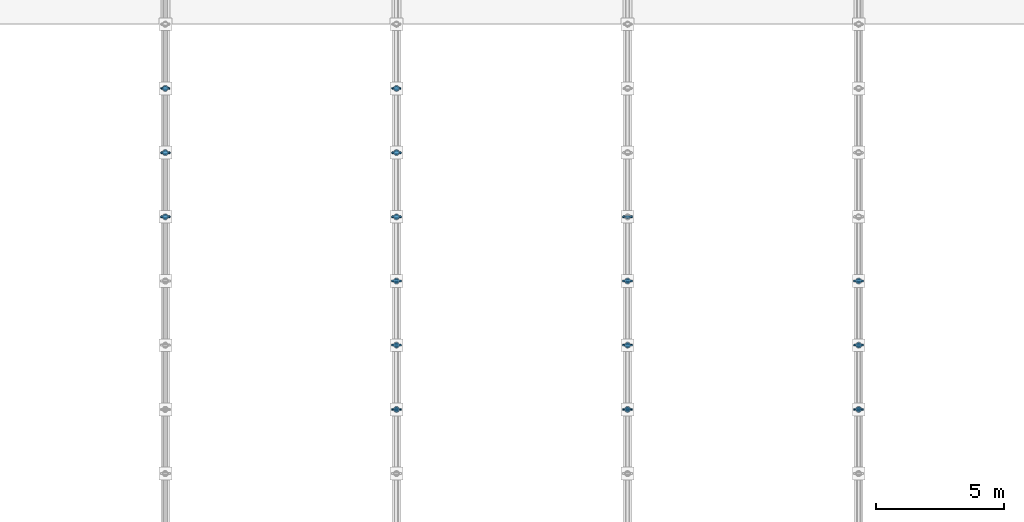
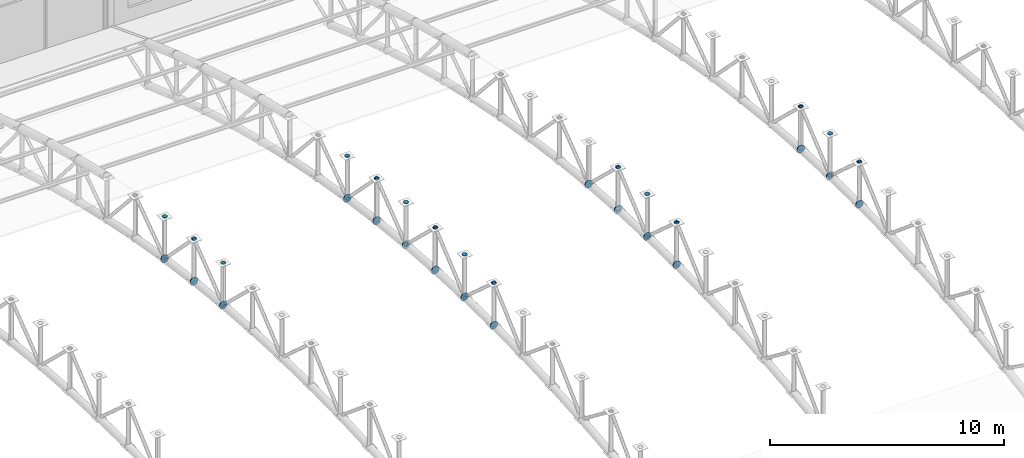
# One storey, part 133 of 195: 93 discrete accessories.
"""IFC4 building model written with IfcOpenShell, lengths in metres."""

import ifcopenshell
import ifcopenshell.guid

model = None  # the IFC model being written
_history = None  # IfcOwnerHistory: only IFC2X3 demands one
_inside = {}  # id of a spatial element -> (the spatial element, [elements in it])
_under = {}  # id of a project, library or spatial element -> (it, [spatial elements below it])
_declared = {}  # id of a project -> (the project, [libraries it declares])
_typed = {}  # id of a type object -> (the type object, [elements of that type])
_made_of = {}  # id of a material, layer set ... -> (it, [elements and type objects made of it])


def new_model(schema):
    """Start an empty IFC model of exactly this schema.

    Asked for "IFC4X3", IfcOpenShell would pick the latest addendum, in which some entities
    have other attributes; the version numbers below select the first issue.
    IFC2X3 requires an IfcOwnerHistory on every rooted entity: one is made here for all.
    """
    global model, _history
    if schema == "IFC4X3":
        model = ifcopenshell.file(schema_version=(4, 3, 0, 0))
    else:
        model = ifcopenshell.file(schema=schema)
    _inside.clear()
    _under.clear()
    _declared.clear()
    _typed.clear()
    _made_of.clear()
    _history = None
    if model.schema == "IFC2X3":
        org = make("IfcOrganization", Name="unknown")
        user = make(
            "IfcPersonAndOrganization",
            ThePerson=make("IfcPerson", FamilyName="unknown"),
            TheOrganization=org,
        )
        app = make(
            "IfcApplication",
            ApplicationDeveloper=org,
            Version="unknown",
            ApplicationFullName="unknown",
            ApplicationIdentifier="unknown",
        )
        _history = make(
            "IfcOwnerHistory",
            OwningUser=user,
            OwningApplication=app,
            ChangeAction="ADDED",
            CreationDate=0,
        )
    return model


def make(cls, **values):
    """One entity of the class cls with the attributes given. An attribute that is None is left unset."""
    return model.create_entity(
        cls, **{name: value for name, value in values.items() if value is not None}
    )


def rooted(cls, **values):
    """An entity with a GlobalId (a new one), such as an element, a storey or a relation."""
    return make(cls, GlobalId=ifcopenshell.guid.new(), OwnerHistory=_history, **values)


def si_unit(unit_type, name, prefix=None):
    """IfcSIUnit, for example si_unit("LENGTHUNIT", "METRE", prefix="MILLI")."""
    return make("IfcSIUnit", UnitType=unit_type, Prefix=prefix, Name=name)


def assignment(units):
    """IfcUnitAssignment: the units of a project."""
    return None if units is None else make("IfcUnitAssignment", Units=units)


def point(xyz):
    """IfcCartesianPoint."""
    return None if xyz is None else make("IfcCartesianPoint", Coordinates=xyz)


def direction(xyz):
    """IfcDirection."""
    return None if xyz is None else make("IfcDirection", DirectionRatios=xyz)


def frame(location, z_axis=None, x_axis=None):
    """IfcAxis2Placement3D, a coordinate frame: its origin and axes. An axis left out is left unset."""
    return make(
        "IfcAxis2Placement3D",
        Location=point(location),
        Axis=direction(z_axis),
        RefDirection=direction(x_axis),
    )


def frame_2d(location, x_axis=None):
    """IfcAxis2Placement2D, a coordinate frame in the plane: its origin and x axis."""
    return make(
        "IfcAxis2Placement2D", Location=point(location), RefDirection=direction(x_axis)
    )


def origin():
    """The frame at (0, 0, 0) with its axes left unset."""
    return frame((0.0, 0.0, 0.0))


def origin_2d():
    """The frame at (0, 0) in the plane with its x axis left unset."""
    return frame_2d((0.0, 0.0))


def place(relative_to, where):
    """IfcLocalPlacement: puts the frame where relative to a parent placement (None: the world)."""
    return make(
        "IfcLocalPlacement", PlacementRelTo=relative_to, RelativePlacement=where
    )


def context(
    kind, dimensions, precision=None, world=None, true_north=None, identifier=None
):
    """IfcGeometricRepresentationContext, for example the 3D "Model" context."""
    return make(
        "IfcGeometricRepresentationContext",
        ContextIdentifier=identifier,
        ContextType=kind,
        CoordinateSpaceDimension=dimensions,
        Precision=precision,
        WorldCoordinateSystem=world,
        TrueNorth=true_north,
    )


def subcontext(parent, identifier, kind, view, scale=None):
    """IfcGeometricRepresentationSubContext, for example "Body" below "Model"."""
    return make(
        "IfcGeometricRepresentationSubContext",
        ContextIdentifier=identifier,
        ContextType=kind,
        ParentContext=parent,
        TargetScale=scale,
        TargetView=view,
    )


def project(units=None, contexts=None):
    """IfcProject with its units and contexts."""
    return rooted(
        "IfcProject",
        Name="project",
        RepresentationContexts=contexts,
        UnitsInContext=assignment(units),
    )


def spatial(cls, under=None, at=None, **own):
    """A site, building, storey or space (cls), placed at a placement, below another one or the project."""
    s = rooted(cls, ObjectPlacement=at, **own)
    if under is not None:
        _under.setdefault(under.id(), (under, []))[1].append(s)
    return s


def profile(cls, at=None, kind="AREA", **sizes):
    """A parametric profile (cls). Its sizes go by their IFC names, for example OverallWidth=200.0."""
    return make(cls, ProfileType=kind, Position=at, **sizes)


def circle(**sizes):
    """IfcCircleProfileDef."""
    return profile("IfcCircleProfileDef", **sizes)


def extrude(swept, where, along, depth):
    """IfcExtrudedAreaSolid: the profile swept, set in the frame where, extruded along a direction by depth."""
    return make(
        "IfcExtrudedAreaSolid",
        SweptArea=swept,
        Position=where,
        ExtrudedDirection=direction(along),
        Depth=depth,
    )


def shape(context_of_items, identifier, shape_type, items):
    """IfcShapeRepresentation: the items that make up one representation, for example the "Body"."""
    return make(
        "IfcShapeRepresentation",
        ContextOfItems=context_of_items,
        RepresentationIdentifier=identifier,
        RepresentationType=shape_type,
        Items=items,
    )


def material(Name=None, Category=None):
    """IfcMaterial."""
    return make("IfcMaterial", Name=Name, Category=Category)


def made_of(thing, what):
    """Note that an element or type object is made of a material, layer set ...; save() writes the relation."""
    if what is not None:
        _made_of.setdefault(what.id(), (what, []))[1].append(thing)
    return thing


def element(
    cls,
    number,
    at=None,
    inside=None,
    cuts=None,
    type_object=None,
    material=None,
    context=None,
    identifier="Body",
    shape_type=None,
    held_by="IfcProductDefinitionShape",
    body=None,
    shapes=None,
    **own,
):
    """One element of the class cls, such as IfcWall. Its Tag is "e" and its number.

    at: its placement. inside: the storey or other place that contains it. cuts: it is an
    opening in that element (IfcRelVoidsElement). A single representation is given by context,
    identifier, shape_type and body (its items); several are given by shapes. held_by: the class
    of the entity that holds the representations. save() writes the other relations.
    """
    e = rooted(cls, Tag="e%d" % number, ObjectPlacement=at, **own)
    if body is not None:
        shapes = [shape(context, identifier, shape_type, body)]
    if shapes is not None:
        e.Representation = make(held_by, Representations=shapes)
    if inside is not None:
        _inside.setdefault(inside.id(), (inside, []))[1].append(e)
    if cuts is not None:
        rooted(
            "IfcRelVoidsElement", RelatingBuildingElement=cuts, RelatedOpeningElement=e
        )
    if type_object is not None:
        _typed.setdefault(type_object.id(), (type_object, []))[1].append(e)
    return made_of(e, material)


def aggregate(whole, parts):
    """IfcRelAggregates: a whole, such as a stair, and the parts it consists of."""
    return rooted("IfcRelAggregates", RelatingObject=whole, RelatedObjects=parts)


def save(model, path):
    """Write the relations noted so far, then the file.

    IfcRelAggregates (storeys below a building ...), IfcRelContainedInSpatialStructure (elements
    in a storey), IfcRelDefinesByType, IfcRelAssociatesMaterial and IfcRelDeclares: one each for
    every whole, place, type object, material and project.
    """
    for whole, parts in _under.values():
        aggregate(whole, parts)
    for where, things in _inside.values():
        rooted(
            "IfcRelContainedInSpatialStructure",
            RelatedElements=things,
            RelatingStructure=where,
        )
    for kind, things in _typed.values():
        rooted("IfcRelDefinesByType", RelatedObjects=things, RelatingType=kind)
    for what, things in _made_of.values():
        rooted("IfcRelAssociatesMaterial", RelatedObjects=things, RelatingMaterial=what)
    for by, libraries in _declared.values():
        rooted("IfcRelDeclares", RelatingContext=by, RelatedDefinitions=libraries)
    model.write(path)


model = new_model("IFC4")

# Units and contexts
model_context = context("Model", 3, precision=1e-05, world=origin(), true_north=direction((0.0, 1.0)))
body_context = subcontext(model_context, "Body", "Model", "MODEL_VIEW")
ifc_project = project(units=[si_unit("LENGTHUNIT", "METRE"), si_unit("AREAUNIT", "SQUARE_METRE"), si_unit("VOLUMEUNIT", "CUBIC_METRE"), si_unit("PLANEANGLEUNIT", "RADIAN"), si_unit("MASSUNIT", "GRAM", prefix="KILO")], contexts=[model_context])

# Site, building, storey
site_placement = place(None, origin())
site = spatial("IfcSite", under=ifc_project, at=site_placement, CompositionType="ELEMENT")
building_placement = place(site_placement, origin())
building = spatial("IfcBuilding", under=site, at=building_placement, Name="Marlcrest Central Station", CompositionType="ELEMENT")
storey_placement = place(building_placement, frame((0.0, 0.0, 9.800048828125)))
storey = spatial("IfcBuildingStorey", under=building, at=storey_placement, Name="L02", CompositionType="ELEMENT", Elevation=9.800048828125)

# Discrete accessories
ifc_material = material(Name="Steel S355", Category="steel")
discrete_accessory_1_placement = place(storey_placement, frame((36.0, 73.47509765625, 4.452880859375), z_axis=(0.0, 0.997007334767, -0.077307014043), x_axis=(-1.0, 0.0, 0.0)))
element("IfcDiscreteAccessory", 1, at=discrete_accessory_1_placement, inside=storey, material=ifc_material, Name="endcap-mem-AC-02-L02-00584-e", ObjectType="END_CAP_PLATE", PredefinedType="BRACKET", context=body_context, shape_type="SweptSolid", body=[
    extrude(circle(Radius=0.185791015625, at=origin_2d()), origin(), (0.0, 0.0, 1.0), 0.0400390625),
])
discrete_accessory_2_placement = place(storey_placement, frame((36.0, 73.48193359375, 4.46826171875), z_axis=(0.0, 0.722246537655, -0.691635698071), x_axis=(-1.0, 0.0, 0.0)))
element("IfcDiscreteAccessory", 2, at=discrete_accessory_2_placement, inside=storey, material=ifc_material, Name="endcap-mem-AD-01-L02-00586-e", ObjectType="END_CAP_PLATE", PredefinedType="BRACKET", context=body_context, shape_type="SweptSolid", body=[
    extrude(circle(Radius=0.092041015625, at=origin_2d()), origin(), (0.0, 0.0, 1.0), 0.0400390625),
])
for number, where, z_axis, x_axis, name in (
    (3, (36.0, 73.485107421875, 4.45263671875), (0.0, 0.994155341034, -0.107959056565), (-1.0, 0.0, 0.0), "endcap-mem-AC-02-L02-00588-s"),
    (4, (36.0, 75.97509765625, 4.18212890625), (0.0, 0.994155341034, -0.107959056565), (-1.0, 0.0, 0.0), "endcap-mem-AC-02-L02-00588-e"),
):
    element("IfcDiscreteAccessory", number, at=place(storey_placement, frame(where, z_axis=z_axis, x_axis=x_axis)), inside=storey, material=ifc_material, Name=name, ObjectType="END_CAP_PLATE", PredefinedType="BRACKET", context=body_context, shape_type="SweptSolid", body=[
        extrude(circle(Radius=0.185791015625, at=origin_2d()), origin(), (0.0, 0.0, 1.0), 0.0400390625),
    ])
for number, where, z_axis, x_axis, name in (
    (5, (36.0, 73.5, 4.43603515625), (0.0, 0.0, 1.0), (1.0, 0.0, 0.0), "endcap-mem-AP-01-L02-00589-s"),
    (6, (36.0, 73.5, 6.6259765625), (0.0, 0.0, 1.0), (1.0, 0.0, 0.0), "endcap-mem-AP-01-L02-00589-e"),
):
    element("IfcDiscreteAccessory", number, at=place(storey_placement, frame(where, z_axis=z_axis, x_axis=x_axis)), inside=storey, material=ifc_material, Name=name, ObjectType="END_CAP_PLATE", PredefinedType="BRACKET", context=body_context, shape_type="SweptSolid", body=[
        extrude(circle(Radius=0.117431640625, at=origin_2d()), origin(), (0.0, 0.0, 1.0), 0.0400390625),
    ])
for number, where, z_axis, x_axis, name in (
    (7, (36.0, 73.488037109375, 4.441650390625), (0.0, 0.791798282026, 0.610782678684), (-1.0, 0.0, 0.0), "endcap-mem-AD-01-L02-00590-s"),
    (8, (36.0, 75.980224609375, 6.364013671875), (0.0, 0.791798282026, 0.610782678684), (-1.0, 0.0, 0.0), "endcap-mem-AD-01-L02-00590-e"),
):
    element("IfcDiscreteAccessory", number, at=place(storey_placement, frame(where, z_axis=z_axis, x_axis=x_axis)), inside=storey, material=ifc_material, Name=name, ObjectType="END_CAP_PLATE", PredefinedType="BRACKET", context=body_context, shape_type="SweptSolid", body=[
        extrude(circle(Radius=0.092041015625, at=origin_2d()), origin(), (0.0, 0.0, 1.0), 0.0400390625),
    ])
for number, where, z_axis, x_axis, name in (
    (9, (36.0, 75.985107421875, 4.181396484375), (0.0, 0.990402740232, -0.138211476152), (-1.0, 0.0, 0.0), "endcap-mem-AC-02-L02-00592-s"),
    (10, (36.0, 78.475341796875, 3.833984375), (0.0, 0.990402740232, -0.138211476152), (-1.0, 0.0, 0.0), "endcap-mem-AC-02-L02-00592-e"),
):
    element("IfcDiscreteAccessory", number, at=place(storey_placement, frame(where, z_axis=z_axis, x_axis=x_axis)), inside=storey, material=ifc_material, Name=name, ObjectType="END_CAP_PLATE", PredefinedType="BRACKET", context=body_context, shape_type="SweptSolid", body=[
        extrude(circle(Radius=0.185791015625, at=origin_2d()), origin(), (0.0, 0.0, 1.0), 0.0400390625),
    ])
for number, where, z_axis, x_axis, name in (
    (11, (36.0, 76.0, 4.16455078125), (0.0, 0.0, 1.0), (1.0, 0.0, 0.0), "endcap-mem-AP-01-L02-00593-s"),
    (12, (36.0, 76.0, 6.3544921875), (0.0, 0.0, 1.0), (1.0, 0.0, 0.0), "endcap-mem-AP-01-L02-00593-e"),
):
    element("IfcDiscreteAccessory", number, at=place(storey_placement, frame(where, z_axis=z_axis, x_axis=x_axis)), inside=storey, material=ifc_material, Name=name, ObjectType="END_CAP_PLATE", PredefinedType="BRACKET", context=body_context, shape_type="SweptSolid", body=[
        extrude(circle(Radius=0.117431640625, at=origin_2d()), origin(), (0.0, 0.0, 1.0), 0.0400390625),
    ])
for number, where, z_axis, x_axis, name in (
    (13, (36.0, 75.989501953125, 6.39013671875), (0.0, 0.70023547796, -0.713911952139), (-1.0, 0.0, 0.0), "endcap-mem-AD-01-L02-00594-s"),
    (14, (36.0, 78.482421875, 3.848388671875), (0.0, 0.70023547796, -0.713911952139), (-1.0, 0.0, 0.0), "endcap-mem-AD-01-L02-00594-e"),
):
    element("IfcDiscreteAccessory", number, at=place(storey_placement, frame(where, z_axis=z_axis, x_axis=x_axis)), inside=storey, material=ifc_material, Name=name, ObjectType="END_CAP_PLATE", PredefinedType="BRACKET", context=body_context, shape_type="SweptSolid", body=[
        extrude(circle(Radius=0.092041015625, at=origin_2d()), origin(), (0.0, 0.0, 1.0), 0.0400390625),
    ])
discrete_accessory_3_placement = place(storey_placement, frame((36.0, 78.485107421875, 3.8330078125), z_axis=(0.0, 0.98574109921, -0.168269086076), x_axis=(-1.0, 0.0, 0.0)))
element("IfcDiscreteAccessory", 15, at=discrete_accessory_3_placement, inside=storey, material=ifc_material, Name="endcap-mem-AC-02-L02-00596-s", ObjectType="END_CAP_PLATE", PredefinedType="BRACKET", context=body_context, shape_type="SweptSolid", body=[
    extrude(circle(Radius=0.185791015625, at=origin_2d()), origin(), (0.0, 0.0, 1.0), 0.0400390625),
])
for number, where, z_axis, x_axis, name in (
    (16, (36.0, 78.5, 3.815673828125), (0.0, 0.0, 1.0), (1.0, 0.0, 0.0), "endcap-mem-AP-01-L02-00597-s"),
    (17, (36.0, 78.5, 6.005615234375), (0.0, 0.0, 1.0), (1.0, 0.0, 0.0), "endcap-mem-AP-01-L02-00597-e"),
):
    element("IfcDiscreteAccessory", number, at=place(storey_placement, frame(where, z_axis=z_axis, x_axis=x_axis)), inside=storey, material=ifc_material, Name=name, ObjectType="END_CAP_PLATE", PredefinedType="BRACKET", context=body_context, shape_type="SweptSolid", body=[
        extrude(circle(Radius=0.117431640625, at=origin_2d()), origin(), (0.0, 0.0, 1.0), 0.0400390625),
    ])
discrete_accessory_4_placement = place(storey_placement, frame((36.0, 78.48779296875, 3.82177734375), z_axis=(0.0, 0.815661132754, 0.57852996164), x_axis=(-1.0, 0.0, 0.0)))
element("IfcDiscreteAccessory", 18, at=discrete_accessory_4_placement, inside=storey, material=ifc_material, Name="endcap-mem-AD-01-L02-00598-s", ObjectType="END_CAP_PLATE", PredefinedType="BRACKET", context=body_context, shape_type="SweptSolid", body=[
    extrude(circle(Radius=0.092041015625, at=origin_2d()), origin(), (0.0, 0.0, 1.0), 0.0400390625),
])
discrete_accessory_5_placement = place(storey_placement, frame((45.0, 65.97509765625, 4.799560546875), z_axis=(0.0, 0.999879472592, 0.01552547228), x_axis=(-1.0, 0.0, 0.0)))
element("IfcDiscreteAccessory", 19, at=discrete_accessory_5_placement, inside=storey, material=ifc_material, Name="endcap-mem-AC-02-L02-00688-e", ObjectType="END_CAP_PLATE", PredefinedType="BRACKET", context=body_context, shape_type="SweptSolid", body=[
    extrude(circle(Radius=0.185791015625, at=origin_2d()), origin(), (0.0, 0.0, 1.0), 0.0400390625),
])
discrete_accessory_6_placement = place(storey_placement, frame((45.0, 65.9814453125, 6.9833984375), z_axis=(0.0, 0.744955843007, 0.66711377738), x_axis=(-1.0, 0.0, 0.0)))
element("IfcDiscreteAccessory", 20, at=discrete_accessory_6_placement, inside=storey, material=ifc_material, Name="endcap-mem-AD-01-L02-00690-e", ObjectType="END_CAP_PLATE", PredefinedType="BRACKET", context=body_context, shape_type="SweptSolid", body=[
    extrude(circle(Radius=0.092041015625, at=origin_2d()), origin(), (0.0, 0.0, 1.0), 0.0400390625),
])
for number, where, z_axis, x_axis, name in (
    (21, (45.0, 65.985107421875, 4.80029296875), (0.0, 0.999879472592, -0.01552547228), (-1.0, 0.0, 0.0), "endcap-mem-AC-02-L02-00692-s"),
    (22, (45.0, 68.47509765625, 4.76171875), (0.0, 0.999879472592, -0.01552547228), (-1.0, 0.0, 0.0), "endcap-mem-AC-02-L02-00692-e"),
):
    element("IfcDiscreteAccessory", number, at=place(storey_placement, frame(where, z_axis=z_axis, x_axis=x_axis)), inside=storey, material=ifc_material, Name=name, ObjectType="END_CAP_PLATE", PredefinedType="BRACKET", context=body_context, shape_type="SweptSolid", body=[
        extrude(circle(Radius=0.185791015625, at=origin_2d()), origin(), (0.0, 0.0, 1.0), 0.0400390625),
    ])
for number, where, z_axis, x_axis, name in (
    (23, (45.0, 66.0, 4.78515625), (0.0, 0.0, 1.0), (1.0, 0.0, 0.0), "endcap-mem-AP-01-L02-00693-s"),
    (24, (45.0, 66.0, 6.97509765625), (0.0, 0.0, 1.0), (1.0, 0.0, 0.0), "endcap-mem-AP-01-L02-00693-e"),
):
    element("IfcDiscreteAccessory", number, at=place(storey_placement, frame(where, z_axis=z_axis, x_axis=x_axis)), inside=storey, material=ifc_material, Name=name, ObjectType="END_CAP_PLATE", PredefinedType="BRACKET", context=body_context, shape_type="SweptSolid", body=[
        extrude(circle(Radius=0.117431640625, at=origin_2d()), origin(), (0.0, 0.0, 1.0), 0.0400390625),
    ])
for number, where, z_axis, x_axis, name in (
    (25, (45.0, 65.98876953125, 7.010009765625), (0.0, 0.744955843007, -0.66711377738), (-1.0, 0.0, 0.0), "endcap-mem-AD-01-L02-00694-s"),
    (26, (45.0, 68.4814453125, 4.77783203125), (0.0, 0.744955843007, -0.66711377738), (-1.0, 0.0, 0.0), "endcap-mem-AD-01-L02-00694-e"),
):
    element("IfcDiscreteAccessory", number, at=place(storey_placement, frame(where, z_axis=z_axis, x_axis=x_axis)), inside=storey, material=ifc_material, Name=name, ObjectType="END_CAP_PLATE", PredefinedType="BRACKET", context=body_context, shape_type="SweptSolid", body=[
        extrude(circle(Radius=0.092041015625, at=origin_2d()), origin(), (0.0, 0.0, 1.0), 0.0400390625),
    ])
for number, where, z_axis, x_axis, name in (
    (27, (45.0, 68.485107421875, 4.761962890625), (0.0, 0.998916819647, -0.046531574509), (-1.0, 0.0, 0.0), "endcap-mem-AC-02-L02-00696-s"),
    (28, (45.0, 70.97509765625, 4.64599609375), (0.0, 0.998916819647, -0.046531574509), (-1.0, 0.0, 0.0), "endcap-mem-AC-02-L02-00696-e"),
):
    element("IfcDiscreteAccessory", number, at=place(storey_placement, frame(where, z_axis=z_axis, x_axis=x_axis)), inside=storey, material=ifc_material, Name=name, ObjectType="END_CAP_PLATE", PredefinedType="BRACKET", context=body_context, shape_type="SweptSolid", body=[
        extrude(circle(Radius=0.185791015625, at=origin_2d()), origin(), (0.0, 0.0, 1.0), 0.0400390625),
    ])
for number, where, z_axis, x_axis, name in (
    (29, (45.0, 68.5, 4.746337890625), (0.0, 0.0, 1.0), (1.0, 0.0, 0.0), "endcap-mem-AP-01-L02-00697-s"),
    (30, (45.0, 68.5, 6.936279296875), (0.0, 0.0, 1.0), (1.0, 0.0, 0.0), "endcap-mem-AP-01-L02-00697-e"),
):
    element("IfcDiscreteAccessory", number, at=place(storey_placement, frame(where, z_axis=z_axis, x_axis=x_axis)), inside=storey, material=ifc_material, Name=name, ObjectType="END_CAP_PLATE", PredefinedType="BRACKET", context=body_context, shape_type="SweptSolid", body=[
        extrude(circle(Radius=0.117431640625, at=origin_2d()), origin(), (0.0, 0.0, 1.0), 0.0400390625),
    ])
for number, where, z_axis, x_axis, name in (
    (31, (45.0, 68.488525390625, 4.751708984375), (0.0, 0.768159787854, 0.640258182552), (-1.0, 0.0, 0.0), "endcap-mem-AD-01-L02-00698-s"),
    (32, (45.0, 70.980712890625, 6.828857421875), (0.0, 0.768159787854, 0.640258182552), (-1.0, 0.0, 0.0), "endcap-mem-AD-01-L02-00698-e"),
):
    element("IfcDiscreteAccessory", number, at=place(storey_placement, frame(where, z_axis=z_axis, x_axis=x_axis)), inside=storey, material=ifc_material, Name=name, ObjectType="END_CAP_PLATE", PredefinedType="BRACKET", context=body_context, shape_type="SweptSolid", body=[
        extrude(circle(Radius=0.092041015625, at=origin_2d()), origin(), (0.0, 0.0, 1.0), 0.0400390625),
    ])
for number, where, z_axis, x_axis, name in (
    (33, (45.0, 70.985107421875, 4.64599609375), (0.0, 0.997007334767, -0.077307014043), (-1.0, 0.0, 0.0), "endcap-mem-AC-02-L02-00700-s"),
    (34, (45.0, 73.47509765625, 4.452880859375), (0.0, 0.997007334767, -0.077307014043), (-1.0, 0.0, 0.0), "endcap-mem-AC-02-L02-00700-e"),
):
    element("IfcDiscreteAccessory", number, at=place(storey_placement, frame(where, z_axis=z_axis, x_axis=x_axis)), inside=storey, material=ifc_material, Name=name, ObjectType="END_CAP_PLATE", PredefinedType="BRACKET", context=body_context, shape_type="SweptSolid", body=[
        extrude(circle(Radius=0.185791015625, at=origin_2d()), origin(), (0.0, 0.0, 1.0), 0.0400390625),
    ])
for number, where, z_axis, x_axis, name in (
    (35, (45.0, 71.0, 4.6298828125), (0.0, 0.0, 1.0), (1.0, 0.0, 0.0), "endcap-mem-AP-01-L02-00701-s"),
    (36, (45.0, 71.0, 6.820068359375), (0.0, 0.0, 1.0), (1.0, 0.0, 0.0), "endcap-mem-AP-01-L02-00701-e"),
):
    element("IfcDiscreteAccessory", number, at=place(storey_placement, frame(where, z_axis=z_axis, x_axis=x_axis)), inside=storey, material=ifc_material, Name=name, ObjectType="END_CAP_PLATE", PredefinedType="BRACKET", context=body_context, shape_type="SweptSolid", body=[
        extrude(circle(Radius=0.117431640625, at=origin_2d()), origin(), (0.0, 0.0, 1.0), 0.0400390625),
    ])
for number, where, z_axis, x_axis, name in (
    (37, (45.0, 70.9892578125, 6.855224609375), (0.0, 0.722246537655, -0.691635698071), (-1.0, 0.0, 0.0), "endcap-mem-AD-01-L02-00702-s"),
    (38, (45.0, 73.48193359375, 4.46826171875), (0.0, 0.722246537655, -0.691635698071), (-1.0, 0.0, 0.0), "endcap-mem-AD-01-L02-00702-e"),
):
    element("IfcDiscreteAccessory", number, at=place(storey_placement, frame(where, z_axis=z_axis, x_axis=x_axis)), inside=storey, material=ifc_material, Name=name, ObjectType="END_CAP_PLATE", PredefinedType="BRACKET", context=body_context, shape_type="SweptSolid", body=[
        extrude(circle(Radius=0.092041015625, at=origin_2d()), origin(), (0.0, 0.0, 1.0), 0.0400390625),
    ])
for number, where, z_axis, x_axis, name in (
    (39, (45.0, 73.485107421875, 4.45263671875), (0.0, 0.994155341034, -0.107959056565), (-1.0, 0.0, 0.0), "endcap-mem-AC-02-L02-00704-s"),
    (40, (45.0, 75.97509765625, 4.18212890625), (0.0, 0.994155341034, -0.107959056565), (-1.0, 0.0, 0.0), "endcap-mem-AC-02-L02-00704-e"),
):
    element("IfcDiscreteAccessory", number, at=place(storey_placement, frame(where, z_axis=z_axis, x_axis=x_axis)), inside=storey, material=ifc_material, Name=name, ObjectType="END_CAP_PLATE", PredefinedType="BRACKET", context=body_context, shape_type="SweptSolid", body=[
        extrude(circle(Radius=0.185791015625, at=origin_2d()), origin(), (0.0, 0.0, 1.0), 0.0400390625),
    ])
for number, where, z_axis, x_axis, name in (
    (41, (45.0, 73.5, 4.43603515625), (0.0, 0.0, 1.0), (1.0, 0.0, 0.0), "endcap-mem-AP-01-L02-00705-s"),
    (42, (45.0, 73.5, 6.6259765625), (0.0, 0.0, 1.0), (1.0, 0.0, 0.0), "endcap-mem-AP-01-L02-00705-e"),
):
    element("IfcDiscreteAccessory", number, at=place(storey_placement, frame(where, z_axis=z_axis, x_axis=x_axis)), inside=storey, material=ifc_material, Name=name, ObjectType="END_CAP_PLATE", PredefinedType="BRACKET", context=body_context, shape_type="SweptSolid", body=[
        extrude(circle(Radius=0.117431640625, at=origin_2d()), origin(), (0.0, 0.0, 1.0), 0.0400390625),
    ])
for number, where, z_axis, x_axis, name in (
    (43, (45.0, 73.488037109375, 4.441650390625), (0.0, 0.791798282026, 0.610782678684), (-1.0, 0.0, 0.0), "endcap-mem-AD-01-L02-00706-s"),
    (44, (45.0, 75.980224609375, 6.364013671875), (0.0, 0.791798282026, 0.610782678684), (-1.0, 0.0, 0.0), "endcap-mem-AD-01-L02-00706-e"),
):
    element("IfcDiscreteAccessory", number, at=place(storey_placement, frame(where, z_axis=z_axis, x_axis=x_axis)), inside=storey, material=ifc_material, Name=name, ObjectType="END_CAP_PLATE", PredefinedType="BRACKET", context=body_context, shape_type="SweptSolid", body=[
        extrude(circle(Radius=0.092041015625, at=origin_2d()), origin(), (0.0, 0.0, 1.0), 0.0400390625),
    ])
for number, where, z_axis, x_axis, name in (
    (45, (45.0, 75.985107421875, 4.181396484375), (0.0, 0.990402740232, -0.138211476152), (-1.0, 0.0, 0.0), "endcap-mem-AC-02-L02-00708-s"),
    (46, (45.0, 78.475341796875, 3.833984375), (0.0, 0.990402740232, -0.138211476152), (-1.0, 0.0, 0.0), "endcap-mem-AC-02-L02-00708-e"),
):
    element("IfcDiscreteAccessory", number, at=place(storey_placement, frame(where, z_axis=z_axis, x_axis=x_axis)), inside=storey, material=ifc_material, Name=name, ObjectType="END_CAP_PLATE", PredefinedType="BRACKET", context=body_context, shape_type="SweptSolid", body=[
        extrude(circle(Radius=0.185791015625, at=origin_2d()), origin(), (0.0, 0.0, 1.0), 0.0400390625),
    ])
for number, where, z_axis, x_axis, name in (
    (47, (45.0, 76.0, 4.16455078125), (0.0, 0.0, 1.0), (1.0, 0.0, 0.0), "endcap-mem-AP-01-L02-00709-s"),
    (48, (45.0, 76.0, 6.3544921875), (0.0, 0.0, 1.0), (1.0, 0.0, 0.0), "endcap-mem-AP-01-L02-00709-e"),
):
    element("IfcDiscreteAccessory", number, at=place(storey_placement, frame(where, z_axis=z_axis, x_axis=x_axis)), inside=storey, material=ifc_material, Name=name, ObjectType="END_CAP_PLATE", PredefinedType="BRACKET", context=body_context, shape_type="SweptSolid", body=[
        extrude(circle(Radius=0.117431640625, at=origin_2d()), origin(), (0.0, 0.0, 1.0), 0.0400390625),
    ])
for number, where, z_axis, x_axis, name in (
    (49, (45.0, 75.989501953125, 6.39013671875), (0.0, 0.70023547796, -0.713911952139), (-1.0, 0.0, 0.0), "endcap-mem-AD-01-L02-00710-s"),
    (50, (45.0, 78.482421875, 3.848388671875), (0.0, 0.70023547796, -0.713911952139), (-1.0, 0.0, 0.0), "endcap-mem-AD-01-L02-00710-e"),
):
    element("IfcDiscreteAccessory", number, at=place(storey_placement, frame(where, z_axis=z_axis, x_axis=x_axis)), inside=storey, material=ifc_material, Name=name, ObjectType="END_CAP_PLATE", PredefinedType="BRACKET", context=body_context, shape_type="SweptSolid", body=[
        extrude(circle(Radius=0.092041015625, at=origin_2d()), origin(), (0.0, 0.0, 1.0), 0.0400390625),
    ])
discrete_accessory_7_placement = place(storey_placement, frame((45.0, 78.485107421875, 3.8330078125), z_axis=(0.0, 0.98574109921, -0.168269086076), x_axis=(-1.0, 0.0, 0.0)))
element("IfcDiscreteAccessory", 51, at=discrete_accessory_7_placement, inside=storey, material=ifc_material, Name="endcap-mem-AC-02-L02-00712-s", ObjectType="END_CAP_PLATE", PredefinedType="BRACKET", context=body_context, shape_type="SweptSolid", body=[
    extrude(circle(Radius=0.185791015625, at=origin_2d()), origin(), (0.0, 0.0, 1.0), 0.0400390625),
])
for number, where, z_axis, x_axis, name in (
    (52, (45.0, 78.5, 3.815673828125), (0.0, 0.0, 1.0), (1.0, 0.0, 0.0), "endcap-mem-AP-01-L02-00713-s"),
    (53, (45.0, 78.5, 6.005615234375), (0.0, 0.0, 1.0), (1.0, 0.0, 0.0), "endcap-mem-AP-01-L02-00713-e"),
):
    element("IfcDiscreteAccessory", number, at=place(storey_placement, frame(where, z_axis=z_axis, x_axis=x_axis)), inside=storey, material=ifc_material, Name=name, ObjectType="END_CAP_PLATE", PredefinedType="BRACKET", context=body_context, shape_type="SweptSolid", body=[
        extrude(circle(Radius=0.117431640625, at=origin_2d()), origin(), (0.0, 0.0, 1.0), 0.0400390625),
    ])
discrete_accessory_8_placement = place(storey_placement, frame((45.0, 78.48779296875, 3.82177734375), z_axis=(0.0, 0.815661132754, 0.57852996164), x_axis=(-1.0, 0.0, 0.0)))
element("IfcDiscreteAccessory", 54, at=discrete_accessory_8_placement, inside=storey, material=ifc_material, Name="endcap-mem-AD-01-L02-00714-s", ObjectType="END_CAP_PLATE", PredefinedType="BRACKET", context=body_context, shape_type="SweptSolid", body=[
    extrude(circle(Radius=0.092041015625, at=origin_2d()), origin(), (0.0, 0.0, 1.0), 0.0400390625),
])
discrete_accessory_9_placement = place(storey_placement, frame((54.0, 65.97509765625, 4.799560546875), z_axis=(0.0, 0.999879472592, 0.01552547228), x_axis=(-1.0, 0.0, 0.0)))
element("IfcDiscreteAccessory", 55, at=discrete_accessory_9_placement, inside=storey, material=ifc_material, Name="endcap-mem-AC-02-L02-00804-e", ObjectType="END_CAP_PLATE", PredefinedType="BRACKET", context=body_context, shape_type="SweptSolid", body=[
    extrude(circle(Radius=0.185791015625, at=origin_2d()), origin(), (0.0, 0.0, 1.0), 0.0400390625),
])
discrete_accessory_10_placement = place(storey_placement, frame((54.0, 65.9814453125, 6.9833984375), z_axis=(0.0, 0.744955843007, 0.66711377738), x_axis=(-1.0, 0.0, 0.0)))
element("IfcDiscreteAccessory", 56, at=discrete_accessory_10_placement, inside=storey, material=ifc_material, Name="endcap-mem-AD-01-L02-00806-e", ObjectType="END_CAP_PLATE", PredefinedType="BRACKET", context=body_context, shape_type="SweptSolid", body=[
    extrude(circle(Radius=0.092041015625, at=origin_2d()), origin(), (0.0, 0.0, 1.0), 0.0400390625),
])
for number, where, z_axis, x_axis, name in (
    (57, (54.0, 65.985107421875, 4.80029296875), (0.0, 0.999879472592, -0.01552547228), (-1.0, 0.0, 0.0), "endcap-mem-AC-02-L02-00808-s"),
    (58, (54.0, 68.47509765625, 4.76171875), (0.0, 0.999879472592, -0.01552547228), (-1.0, 0.0, 0.0), "endcap-mem-AC-02-L02-00808-e"),
):
    element("IfcDiscreteAccessory", number, at=place(storey_placement, frame(where, z_axis=z_axis, x_axis=x_axis)), inside=storey, material=ifc_material, Name=name, ObjectType="END_CAP_PLATE", PredefinedType="BRACKET", context=body_context, shape_type="SweptSolid", body=[
        extrude(circle(Radius=0.185791015625, at=origin_2d()), origin(), (0.0, 0.0, 1.0), 0.0400390625),
    ])
for number, where, z_axis, x_axis, name in (
    (59, (54.0, 66.0, 4.78515625), (0.0, 0.0, 1.0), (1.0, 0.0, 0.0), "endcap-mem-AP-01-L02-00809-s"),
    (60, (54.0, 66.0, 6.97509765625), (0.0, 0.0, 1.0), (1.0, 0.0, 0.0), "endcap-mem-AP-01-L02-00809-e"),
):
    element("IfcDiscreteAccessory", number, at=place(storey_placement, frame(where, z_axis=z_axis, x_axis=x_axis)), inside=storey, material=ifc_material, Name=name, ObjectType="END_CAP_PLATE", PredefinedType="BRACKET", context=body_context, shape_type="SweptSolid", body=[
        extrude(circle(Radius=0.117431640625, at=origin_2d()), origin(), (0.0, 0.0, 1.0), 0.0400390625),
    ])
for number, where, z_axis, x_axis, name in (
    (61, (54.0, 65.98876953125, 7.010009765625), (0.0, 0.744955843007, -0.66711377738), (-1.0, 0.0, 0.0), "endcap-mem-AD-01-L02-00810-s"),
    (62, (54.0, 68.4814453125, 4.77783203125), (0.0, 0.744955843007, -0.66711377738), (-1.0, 0.0, 0.0), "endcap-mem-AD-01-L02-00810-e"),
):
    element("IfcDiscreteAccessory", number, at=place(storey_placement, frame(where, z_axis=z_axis, x_axis=x_axis)), inside=storey, material=ifc_material, Name=name, ObjectType="END_CAP_PLATE", PredefinedType="BRACKET", context=body_context, shape_type="SweptSolid", body=[
        extrude(circle(Radius=0.092041015625, at=origin_2d()), origin(), (0.0, 0.0, 1.0), 0.0400390625),
    ])
for number, where, z_axis, x_axis, name in (
    (63, (54.0, 68.485107421875, 4.761962890625), (0.0, 0.998916819647, -0.046531574509), (-1.0, 0.0, 0.0), "endcap-mem-AC-02-L02-00812-s"),
    (64, (54.0, 70.97509765625, 4.64599609375), (0.0, 0.998916819647, -0.046531574509), (-1.0, 0.0, 0.0), "endcap-mem-AC-02-L02-00812-e"),
):
    element("IfcDiscreteAccessory", number, at=place(storey_placement, frame(where, z_axis=z_axis, x_axis=x_axis)), inside=storey, material=ifc_material, Name=name, ObjectType="END_CAP_PLATE", PredefinedType="BRACKET", context=body_context, shape_type="SweptSolid", body=[
        extrude(circle(Radius=0.185791015625, at=origin_2d()), origin(), (0.0, 0.0, 1.0), 0.0400390625),
    ])
for number, where, z_axis, x_axis, name in (
    (65, (54.0, 68.5, 4.746337890625), (0.0, 0.0, 1.0), (1.0, 0.0, 0.0), "endcap-mem-AP-01-L02-00813-s"),
    (66, (54.0, 68.5, 6.936279296875), (0.0, 0.0, 1.0), (1.0, 0.0, 0.0), "endcap-mem-AP-01-L02-00813-e"),
):
    element("IfcDiscreteAccessory", number, at=place(storey_placement, frame(where, z_axis=z_axis, x_axis=x_axis)), inside=storey, material=ifc_material, Name=name, ObjectType="END_CAP_PLATE", PredefinedType="BRACKET", context=body_context, shape_type="SweptSolid", body=[
        extrude(circle(Radius=0.117431640625, at=origin_2d()), origin(), (0.0, 0.0, 1.0), 0.0400390625),
    ])
for number, where, z_axis, x_axis, name in (
    (67, (54.0, 68.488525390625, 4.751708984375), (0.0, 0.768159787854, 0.640258182552), (-1.0, 0.0, 0.0), "endcap-mem-AD-01-L02-00814-s"),
    (68, (54.0, 70.980712890625, 6.828857421875), (0.0, 0.768159787854, 0.640258182552), (-1.0, 0.0, 0.0), "endcap-mem-AD-01-L02-00814-e"),
):
    element("IfcDiscreteAccessory", number, at=place(storey_placement, frame(where, z_axis=z_axis, x_axis=x_axis)), inside=storey, material=ifc_material, Name=name, ObjectType="END_CAP_PLATE", PredefinedType="BRACKET", context=body_context, shape_type="SweptSolid", body=[
        extrude(circle(Radius=0.092041015625, at=origin_2d()), origin(), (0.0, 0.0, 1.0), 0.0400390625),
    ])
for number, where, z_axis, x_axis, name in (
    (69, (54.0, 70.985107421875, 4.64599609375), (0.0, 0.997007334767, -0.077307014043), (-1.0, 0.0, 0.0), "endcap-mem-AC-02-L02-00816-s"),
    (70, (54.0, 73.47509765625, 4.452880859375), (0.0, 0.997007334767, -0.077307014043), (-1.0, 0.0, 0.0), "endcap-mem-AC-02-L02-00816-e"),
):
    element("IfcDiscreteAccessory", number, at=place(storey_placement, frame(where, z_axis=z_axis, x_axis=x_axis)), inside=storey, material=ifc_material, Name=name, ObjectType="END_CAP_PLATE", PredefinedType="BRACKET", context=body_context, shape_type="SweptSolid", body=[
        extrude(circle(Radius=0.185791015625, at=origin_2d()), origin(), (0.0, 0.0, 1.0), 0.0400390625),
    ])
for number, where, z_axis, x_axis, name in (
    (71, (54.0, 71.0, 4.6298828125), (0.0, 0.0, 1.0), (1.0, 0.0, 0.0), "endcap-mem-AP-01-L02-00817-s"),
    (72, (54.0, 71.0, 6.820068359375), (0.0, 0.0, 1.0), (1.0, 0.0, 0.0), "endcap-mem-AP-01-L02-00817-e"),
):
    element("IfcDiscreteAccessory", number, at=place(storey_placement, frame(where, z_axis=z_axis, x_axis=x_axis)), inside=storey, material=ifc_material, Name=name, ObjectType="END_CAP_PLATE", PredefinedType="BRACKET", context=body_context, shape_type="SweptSolid", body=[
        extrude(circle(Radius=0.117431640625, at=origin_2d()), origin(), (0.0, 0.0, 1.0), 0.0400390625),
    ])
for number, where, z_axis, x_axis, name in (
    (73, (54.0, 70.9892578125, 6.855224609375), (0.0, 0.722246537655, -0.691635698071), (-1.0, 0.0, 0.0), "endcap-mem-AD-01-L02-00818-s"),
    (74, (54.0, 73.48193359375, 4.46826171875), (0.0, 0.722246537655, -0.691635698071), (-1.0, 0.0, 0.0), "endcap-mem-AD-01-L02-00818-e"),
):
    element("IfcDiscreteAccessory", number, at=place(storey_placement, frame(where, z_axis=z_axis, x_axis=x_axis)), inside=storey, material=ifc_material, Name=name, ObjectType="END_CAP_PLATE", PredefinedType="BRACKET", context=body_context, shape_type="SweptSolid", body=[
        extrude(circle(Radius=0.092041015625, at=origin_2d()), origin(), (0.0, 0.0, 1.0), 0.0400390625),
    ])
for number, where, z_axis, x_axis, name in (
    (75, (54.0, 73.485107421875, 4.45263671875), (0.0, 0.994155341034, -0.107959056565), (-1.0, 0.0, 0.0), "endcap-mem-AC-02-L02-00820-s"),
    (76, (63.0, 65.97509765625, 4.799560546875), (0.0, 0.999879472592, 0.01552547228), (-1.0, 0.0, 0.0), "endcap-mem-AC-02-L02-00920-e"),
):
    element("IfcDiscreteAccessory", number, at=place(storey_placement, frame(where, z_axis=z_axis, x_axis=x_axis)), inside=storey, material=ifc_material, Name=name, ObjectType="END_CAP_PLATE", PredefinedType="BRACKET", context=body_context, shape_type="SweptSolid", body=[
        extrude(circle(Radius=0.185791015625, at=origin_2d()), origin(), (0.0, 0.0, 1.0), 0.0400390625),
    ])
discrete_accessory_11_placement = place(storey_placement, frame((63.0, 65.9814453125, 6.9833984375), z_axis=(0.0, 0.744955843007, 0.66711377738), x_axis=(-1.0, 0.0, 0.0)))
element("IfcDiscreteAccessory", 77, at=discrete_accessory_11_placement, inside=storey, material=ifc_material, Name="endcap-mem-AD-01-L02-00922-e", ObjectType="END_CAP_PLATE", PredefinedType="BRACKET", context=body_context, shape_type="SweptSolid", body=[
    extrude(circle(Radius=0.092041015625, at=origin_2d()), origin(), (0.0, 0.0, 1.0), 0.0400390625),
])
for number, where, z_axis, x_axis, name in (
    (78, (63.0, 65.985107421875, 4.80029296875), (0.0, 0.999879472592, -0.01552547228), (-1.0, 0.0, 0.0), "endcap-mem-AC-02-L02-00924-s"),
    (79, (63.0, 68.47509765625, 4.76171875), (0.0, 0.999879472592, -0.01552547228), (-1.0, 0.0, 0.0), "endcap-mem-AC-02-L02-00924-e"),
):
    element("IfcDiscreteAccessory", number, at=place(storey_placement, frame(where, z_axis=z_axis, x_axis=x_axis)), inside=storey, material=ifc_material, Name=name, ObjectType="END_CAP_PLATE", PredefinedType="BRACKET", context=body_context, shape_type="SweptSolid", body=[
        extrude(circle(Radius=0.185791015625, at=origin_2d()), origin(), (0.0, 0.0, 1.0), 0.0400390625),
    ])
for number, where, z_axis, x_axis, name in (
    (80, (63.0, 66.0, 4.78515625), (0.0, 0.0, 1.0), (1.0, 0.0, 0.0), "endcap-mem-AP-01-L02-00925-s"),
    (81, (63.0, 66.0, 6.97509765625), (0.0, 0.0, 1.0), (1.0, 0.0, 0.0), "endcap-mem-AP-01-L02-00925-e"),
):
    element("IfcDiscreteAccessory", number, at=place(storey_placement, frame(where, z_axis=z_axis, x_axis=x_axis)), inside=storey, material=ifc_material, Name=name, ObjectType="END_CAP_PLATE", PredefinedType="BRACKET", context=body_context, shape_type="SweptSolid", body=[
        extrude(circle(Radius=0.117431640625, at=origin_2d()), origin(), (0.0, 0.0, 1.0), 0.0400390625),
    ])
for number, where, z_axis, x_axis, name in (
    (82, (63.0, 65.98876953125, 7.010009765625), (0.0, 0.744955843007, -0.66711377738), (-1.0, 0.0, 0.0), "endcap-mem-AD-01-L02-00926-s"),
    (83, (63.0, 68.4814453125, 4.77783203125), (0.0, 0.744955843007, -0.66711377738), (-1.0, 0.0, 0.0), "endcap-mem-AD-01-L02-00926-e"),
):
    element("IfcDiscreteAccessory", number, at=place(storey_placement, frame(where, z_axis=z_axis, x_axis=x_axis)), inside=storey, material=ifc_material, Name=name, ObjectType="END_CAP_PLATE", PredefinedType="BRACKET", context=body_context, shape_type="SweptSolid", body=[
        extrude(circle(Radius=0.092041015625, at=origin_2d()), origin(), (0.0, 0.0, 1.0), 0.0400390625),
    ])
for number, where, z_axis, x_axis, name in (
    (84, (63.0, 68.485107421875, 4.761962890625), (0.0, 0.998916819647, -0.046531574509), (-1.0, 0.0, 0.0), "endcap-mem-AC-02-L02-00928-s"),
    (85, (63.0, 70.97509765625, 4.64599609375), (0.0, 0.998916819647, -0.046531574509), (-1.0, 0.0, 0.0), "endcap-mem-AC-02-L02-00928-e"),
):
    element("IfcDiscreteAccessory", number, at=place(storey_placement, frame(where, z_axis=z_axis, x_axis=x_axis)), inside=storey, material=ifc_material, Name=name, ObjectType="END_CAP_PLATE", PredefinedType="BRACKET", context=body_context, shape_type="SweptSolid", body=[
        extrude(circle(Radius=0.185791015625, at=origin_2d()), origin(), (0.0, 0.0, 1.0), 0.0400390625),
    ])
for number, where, z_axis, x_axis, name in (
    (86, (63.0, 68.5, 4.746337890625), (0.0, 0.0, 1.0), (1.0, 0.0, 0.0), "endcap-mem-AP-01-L02-00929-s"),
    (87, (63.0, 68.5, 6.936279296875), (0.0, 0.0, 1.0), (1.0, 0.0, 0.0), "endcap-mem-AP-01-L02-00929-e"),
):
    element("IfcDiscreteAccessory", number, at=place(storey_placement, frame(where, z_axis=z_axis, x_axis=x_axis)), inside=storey, material=ifc_material, Name=name, ObjectType="END_CAP_PLATE", PredefinedType="BRACKET", context=body_context, shape_type="SweptSolid", body=[
        extrude(circle(Radius=0.117431640625, at=origin_2d()), origin(), (0.0, 0.0, 1.0), 0.0400390625),
    ])
for number, where, z_axis, x_axis, name in (
    (88, (63.0, 68.488525390625, 4.751708984375), (0.0, 0.768159787854, 0.640258182552), (-1.0, 0.0, 0.0), "endcap-mem-AD-01-L02-00930-s"),
    (89, (63.0, 70.980712890625, 6.828857421875), (0.0, 0.768159787854, 0.640258182552), (-1.0, 0.0, 0.0), "endcap-mem-AD-01-L02-00930-e"),
):
    element("IfcDiscreteAccessory", number, at=place(storey_placement, frame(where, z_axis=z_axis, x_axis=x_axis)), inside=storey, material=ifc_material, Name=name, ObjectType="END_CAP_PLATE", PredefinedType="BRACKET", context=body_context, shape_type="SweptSolid", body=[
        extrude(circle(Radius=0.092041015625, at=origin_2d()), origin(), (0.0, 0.0, 1.0), 0.0400390625),
    ])
discrete_accessory_12_placement = place(storey_placement, frame((63.0, 70.985107421875, 4.64599609375), z_axis=(0.0, 0.997007334767, -0.077307014043), x_axis=(-1.0, 0.0, 0.0)))
element("IfcDiscreteAccessory", 90, at=discrete_accessory_12_placement, inside=storey, material=ifc_material, Name="endcap-mem-AC-02-L02-00932-s", ObjectType="END_CAP_PLATE", PredefinedType="BRACKET", context=body_context, shape_type="SweptSolid", body=[
    extrude(circle(Radius=0.185791015625, at=origin_2d()), origin(), (0.0, 0.0, 1.0), 0.0400390625),
])
for number, where, z_axis, x_axis, name in (
    (91, (63.0, 71.0, 4.6298828125), (0.0, 0.0, 1.0), (1.0, 0.0, 0.0), "endcap-mem-AP-01-L02-00933-s"),
    (92, (63.0, 71.0, 6.820068359375), (0.0, 0.0, 1.0), (1.0, 0.0, 0.0), "endcap-mem-AP-01-L02-00933-e"),
):
    element("IfcDiscreteAccessory", number, at=place(storey_placement, frame(where, z_axis=z_axis, x_axis=x_axis)), inside=storey, material=ifc_material, Name=name, ObjectType="END_CAP_PLATE", PredefinedType="BRACKET", context=body_context, shape_type="SweptSolid", body=[
        extrude(circle(Radius=0.117431640625, at=origin_2d()), origin(), (0.0, 0.0, 1.0), 0.0400390625),
    ])
discrete_accessory_13_placement = place(storey_placement, frame((63.0, 70.9892578125, 6.855224609375), z_axis=(0.0, 0.722246537655, -0.691635698071), x_axis=(-1.0, 0.0, 0.0)))
element("IfcDiscreteAccessory", 93, at=discrete_accessory_13_placement, inside=storey, material=ifc_material, Name="endcap-mem-AD-01-L02-00934-s", ObjectType="END_CAP_PLATE", PredefinedType="BRACKET", context=body_context, shape_type="SweptSolid", body=[
    extrude(circle(Radius=0.092041015625, at=origin_2d()), origin(), (0.0, 0.0, 1.0), 0.0400390625),
])

save(model, "model.ifc")
